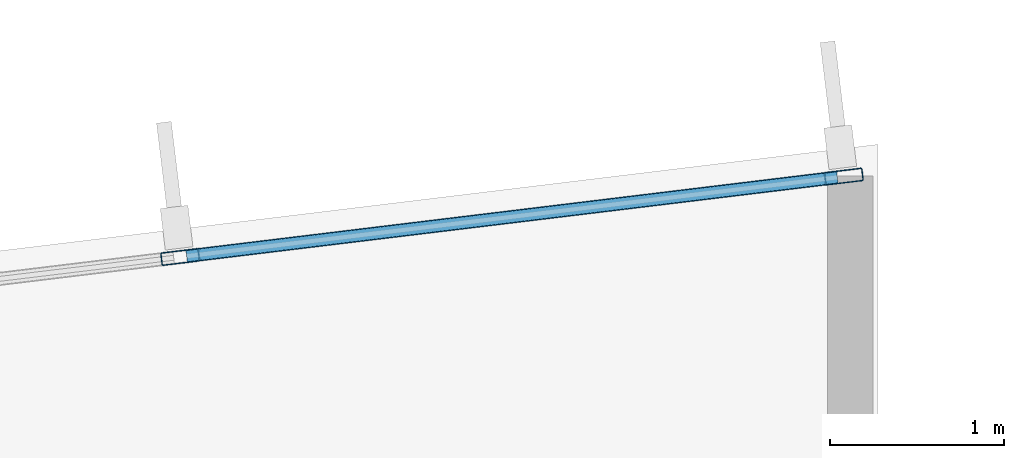
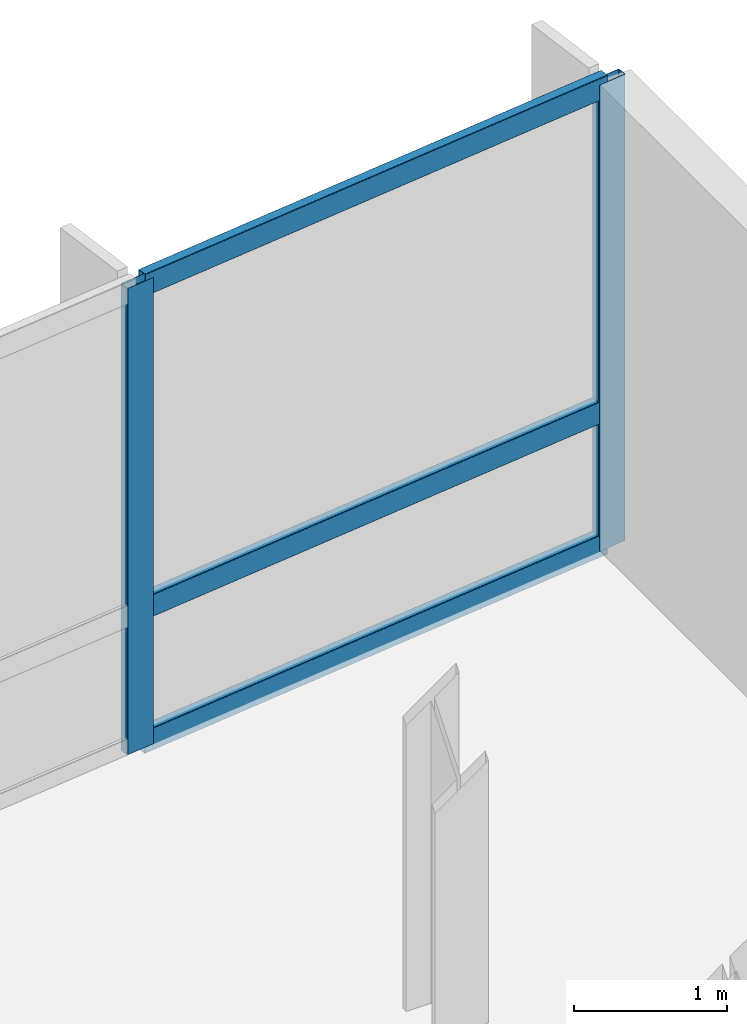
# One storey, part 8 of 18: 5 members, 1 element without a shape of its own.
"""IFC4 building model written with IfcOpenShell, lengths in metres."""

from ifc_helpers import new_model, si_unit, direction, frame, origin, origin_2d, place, context, subcontext, project, spatial, hollow_rectangle, extrude, material, layer, layer_set, material_profile, profile_set, type_object, element, aggregate, save


model = new_model("IFC4")

# Units and contexts
model_context = context("Model", 3, precision=1e-05, world=origin(), true_north=direction((0.0, 1.0)))
body_context = subcontext(model_context, "Body", "Model", "MODEL_VIEW")
ifc_project = project(units=[si_unit("LENGTHUNIT", "METRE"), si_unit("AREAUNIT", "SQUARE_METRE"), si_unit("VOLUMEUNIT", "CUBIC_METRE"), si_unit("PLANEANGLEUNIT", "RADIAN"), si_unit("MASSUNIT", "GRAM", prefix="KILO")], contexts=[model_context])

# Site, building, storey
site_placement = place(None, origin())
site = spatial("IfcSite", under=ifc_project, at=site_placement, CompositionType="ELEMENT")
building_placement = place(site_placement, origin())
building = spatial("IfcBuilding", under=site, at=building_placement, Name="Varnakote Quay Hospital", CompositionType="ELEMENT")
storey_placement = place(building_placement, frame((0.0, 0.0, 150.75)))
storey = spatial("IfcBuildingStorey", under=building, at=storey_placement, Name="L37", CompositionType="ELEMENT", Elevation=150.75)

# Curtain wall, members
ifc_material_1 = material(Name="Anodised aluminium 6063-T6 Bronze", Category="aluminium")
ifc_layer = layer(ifc_material_1, 0.205078125)
ifc_layer_set = layer_set([ifc_layer], Name="Anodised aluminium 6063-T6 Bronze")
curtain_wall_type = type_object("IfcCurtainWallType", Name="CW-SYS-3", PredefinedType="NOTDEFINED", material=ifc_layer_set)
curtain_wall_placement = place(storey_placement, origin())
curtain_wall = element("IfcCurtainWall", 1, at=curtain_wall_placement, inside=storey, type_object=curtain_wall_type, Name="L37 Unitised Bronze Curtain Wall 1", PredefinedType="NOTDEFINED")
ifc_material_2 = material(Name="Anodised aluminium 6063-T6 Bronze", Category="aluminium")
ifc_material_profile_1 = material_profile(ifc_material_2, hollow_rectangle(XDim=0.074951171875, YDim=0.219970703125, WallThickness=0.00439453125, InnerFilletRadius=0.00439453125, OuterFilletRadius=0.009033203125, at=origin_2d()), Name="CW-MULL-220x75")
ifc_profile_set_1 = profile_set([ifc_material_profile_1], Name="Anodised aluminium 6063-T6 Bronze")
member_type_1 = type_object("IfcMemberType", Name="CW-MULL-220x75", PredefinedType="MULLION", material=ifc_profile_set_1)
member_1_placement = place(storey_placement, frame((54.002685546875, 32.914794921875, 0.0), z_axis=(0.0, 0.0, 1.0), x_axis=(0.12032713492, -0.992734295067, 0.0)))
member_1 = element("IfcMember", 2, at=member_1_placement, type_object=member_type_1, Name="-3-L37-1 mullion 1", PredefinedType="MULLION", context=body_context, shape_type="SweptSolid", body=[
    extrude(hollow_rectangle(XDim=0.074951171875, YDim=0.219970703125, WallThickness=0.00439453125, InnerFilletRadius=0.00439453125, OuterFilletRadius=0.009033203125, at=origin_2d()), origin(), (0.0, 0.0, 1.0), 3.7099609375),
])
member_2_placement = place(storey_placement, frame((50.1875, 32.452392578125, 0.0), z_axis=(0.0, 0.0, 1.0), x_axis=(0.12032713492, -0.992734295067, 0.0)))
member_2 = element("IfcMember", 3, at=member_2_placement, type_object=member_type_1, Name="-3-L37-1 mullion 2", PredefinedType="MULLION", context=body_context, shape_type="SweptSolid", body=[
    extrude(hollow_rectangle(XDim=0.074951171875, YDim=0.219970703125, WallThickness=0.00439453125, InnerFilletRadius=0.00439453125, OuterFilletRadius=0.009033203125, at=origin_2d()), origin(), (0.0, 0.0, 1.0), 3.7099609375),
])
ifc_material_3 = material(Name="Anodised aluminium 6063-T6 Bronze", Category="aluminium")
ifc_material_profile_2 = material_profile(ifc_material_3, hollow_rectangle(XDim=0.074951171875, YDim=0.179931640625, WallThickness=0.004150390625, InnerFilletRadius=0.004150390625, OuterFilletRadius=0.00830078125, at=origin_2d()), Name="CW-TRAN-180x75")
ifc_profile_set_2 = profile_set([ifc_material_profile_2], Name="Anodised aluminium 6063-T6 Bronze")
member_type_2 = type_object("IfcMemberType", Name="CW-TRAN-180x75", PredefinedType="USERDEFINED", material=ifc_profile_set_2)
member_3_placement = place(storey_placement, frame((53.965576171875, 32.910400390625, 0.03759765625), z_axis=(-0.992735423717, -0.120317822859, 0.0), x_axis=(0.120317822859, -0.992735423717, 0.0)))
member_3 = element("IfcMember", 4, at=member_3_placement, type_object=member_type_2, Name="-3-L37-1 transom 1.1", ObjectType="TRANSOM", PredefinedType="USERDEFINED", context=body_context, shape_type="SweptSolid", body=[
    extrude(hollow_rectangle(XDim=0.074951171875, YDim=0.179931640625, WallThickness=0.004150390625, InnerFilletRadius=0.004150390625, OuterFilletRadius=0.00830078125, at=origin_2d()), origin(), (0.0, 0.0, 1.0), 3.76806640625),
])
member_4_placement = place(storey_placement, frame((53.965576171875, 32.910400390625, 1.10009765625), z_axis=(-0.992735423717, -0.120317822859, 0.0), x_axis=(0.120317822859, -0.992735423717, 0.0)))
member_4 = element("IfcMember", 5, at=member_4_placement, type_object=member_type_2, Name="-3-L37-1 transom 1.2", ObjectType="TRANSOM", PredefinedType="USERDEFINED", context=body_context, shape_type="SweptSolid", body=[
    extrude(hollow_rectangle(XDim=0.074951171875, YDim=0.179931640625, WallThickness=0.004150390625, InnerFilletRadius=0.004150390625, OuterFilletRadius=0.00830078125, at=origin_2d()), origin(), (0.0, 0.0, 1.0), 3.76806640625),
])
member_5_placement = place(storey_placement, frame((53.965576171875, 32.910400390625, 3.672607421875), z_axis=(-0.992735423717, -0.120317822859, 0.0), x_axis=(0.120317822859, -0.992735423717, 0.0)))
member_5 = element("IfcMember", 6, at=member_5_placement, type_object=member_type_2, Name="-3-L37-1 transom 1.3", ObjectType="TRANSOM", PredefinedType="USERDEFINED", context=body_context, shape_type="SweptSolid", body=[
    extrude(hollow_rectangle(XDim=0.074951171875, YDim=0.179931640625, WallThickness=0.004150390625, InnerFilletRadius=0.004150390625, OuterFilletRadius=0.00830078125, at=origin_2d()), origin(), (0.0, 0.0, 1.0), 3.76806640625),
])
aggregate(curtain_wall, [member_1, member_2, member_3, member_4, member_5])

save(model, "model.ifc")
